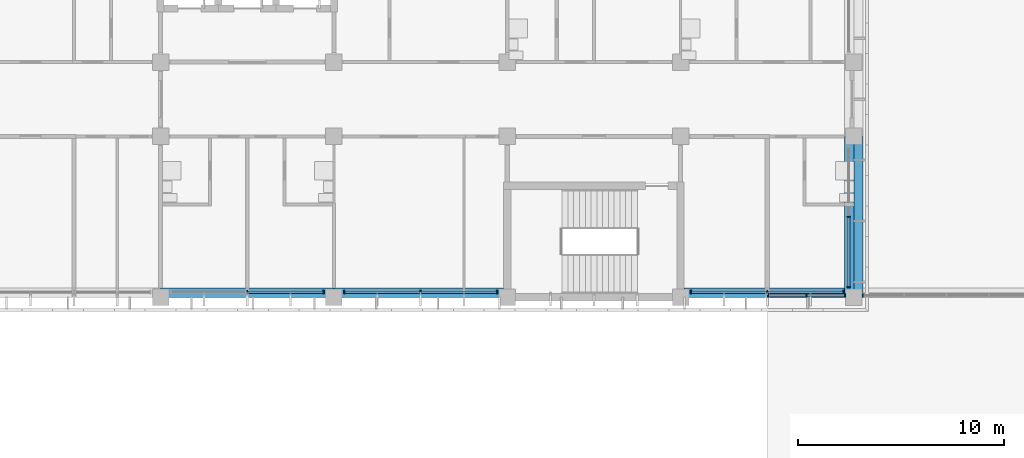
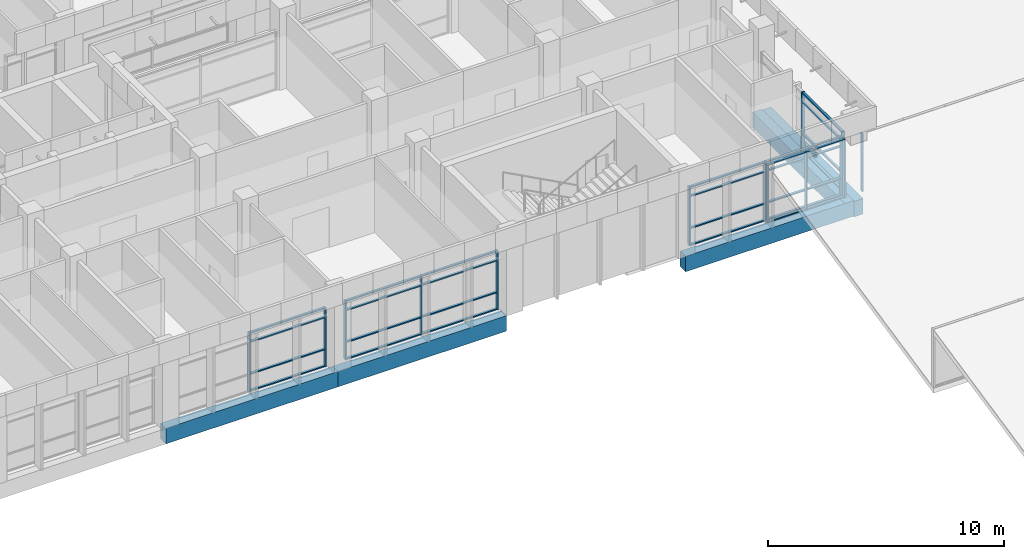
# One storey, part 29 of 137: 42 members, 5 beams, 6 elements without a shape of their own.
"""IFC4 building model written with IfcOpenShell, lengths in metres."""

from ifc_helpers import new_model, si_unit, direction, frame, origin, origin_2d, place, context, subcontext, project, spatial, rectangle, extrude, material, material_profile, profile_set, type_object, element, aggregate, save


model = new_model("IFC4")

# Units and contexts
model_context = context("Model", 3, precision=1e-05, world=origin(), true_north=direction((0.0, 1.0)))
body_context = subcontext(model_context, "Body", "Model", "MODEL_VIEW")
ifc_project = project(units=[si_unit("LENGTHUNIT", "METRE"), si_unit("AREAUNIT", "SQUARE_METRE"), si_unit("VOLUMEUNIT", "CUBIC_METRE"), si_unit("PLANEANGLEUNIT", "RADIAN"), si_unit("MASSUNIT", "GRAM", prefix="KILO")], contexts=[model_context])

# Site, building, storey
site_placement = place(None, origin())
site = spatial("IfcSite", under=ifc_project, at=site_placement, CompositionType="ELEMENT")
building_placement = place(site_placement, origin())
building = spatial("IfcBuilding", under=site, at=building_placement, Name="Bougainvillea Quay General Hospital", CompositionType="ELEMENT")
storey_placement = place(building_placement, frame((0.0, 0.0, 16.800048828125)))
storey = spatial("IfcBuildingStorey", under=building, at=storey_placement, Name="L03", CompositionType="ELEMENT", Elevation=16.800048828125)

# Curtain wall, members
ifc_material_1 = material(Name="Aluminium curtain wall system, powder-coated glazed", Category="aluminium")
curtain_wall_type_1 = type_object("IfcCurtainWallType", Name="Unitised curtain wall CW-3730", PredefinedType="NOTDEFINED", material=ifc_material_1)
curtain_wall_1_placement = place(storey_placement, origin())
curtain_wall_1 = element("IfcCurtainWall", 1, at=curtain_wall_1_placement, inside=storey, type_object=curtain_wall_type_1, Name="CW-4200 03", PredefinedType="NOTDEFINED")
ifc_material_2 = material(Name="Aluminium mullion, powder-coated charcoal", Category="aluminium")
ifc_material_profile_1 = material_profile(ifc_material_2, rectangle(XDim=0.159912109375, YDim=0.06005859375, at=origin_2d()))
ifc_profile_set_1 = profile_set([ifc_material_profile_1], Name="Aluminium mullion, powder-coated charcoal")
member_type_1 = type_object("IfcMemberType", Name="Curtain wall mullion 160x60", PredefinedType="MULLION", material=ifc_profile_set_1)
member_1_placement = place(storey_placement, frame((138.60009765625, 117.85009765625, 0.0), z_axis=(0.0, 0.0, 1.0), x_axis=(0.0, 1.0, 0.0)))
member_1 = element("IfcMember", 2, at=member_1_placement, type_object=member_type_1, Name="CW-4200 mullion 2", PredefinedType="MULLION", context=body_context, shape_type="SweptSolid", body=[
    extrude(rectangle(XDim=0.159912109375, YDim=0.06005859375, at=origin_2d()), origin(), (0.0, 0.0, 1.0), 3.050048828125),
])
member_2_placement = place(storey_placement, frame((142.300048828125, 117.85009765625, 0.0), z_axis=(0.0, 0.0, 1.0), x_axis=(0.0, 1.0, 0.0)))
member_2 = element("IfcMember", 3, at=member_2_placement, type_object=member_type_1, Name="CW-4200 mullion 3", PredefinedType="MULLION", context=body_context, shape_type="SweptSolid", body=[
    extrude(rectangle(XDim=0.159912109375, YDim=0.06005859375, at=origin_2d()), origin(), (0.0, 0.0, 1.0), 3.050048828125),
])

curtain_wall_2_placement = place(storey_placement, origin())
curtain_wall_2 = element("IfcCurtainWall", 4, at=curtain_wall_2_placement, inside=storey, type_object=curtain_wall_type_1, Name="CW-4200 04", PredefinedType="NOTDEFINED")
member_3_placement = place(storey_placement, frame((143.300048828125, 117.85009765625, 0.0), z_axis=(0.0, 0.0, 1.0), x_axis=(0.0, 1.0, 0.0)))
member_3 = element("IfcMember", 5, at=member_3_placement, type_object=member_type_1, Name="CW-4200 mullion 1", PredefinedType="MULLION", context=body_context, shape_type="SweptSolid", body=[
    extrude(rectangle(XDim=0.159912109375, YDim=0.06005859375, at=origin_2d()), origin(), (0.0, 0.0, 1.0), 3.050048828125),
])
member_4_placement = place(storey_placement, frame((147.0, 117.85009765625, 0.0), z_axis=(0.0, 0.0, 1.0), x_axis=(0.0, 1.0, 0.0)))
member_4 = element("IfcMember", 6, at=member_4_placement, type_object=member_type_1, Name="CW-4200 mullion 2", PredefinedType="MULLION", context=body_context, shape_type="SweptSolid", body=[
    extrude(rectangle(XDim=0.159912109375, YDim=0.06005859375, at=origin_2d()), origin(), (0.0, 0.0, 1.0), 3.050048828125),
])
member_5_placement = place(storey_placement, frame((150.699951171875, 117.85009765625, 0.0), z_axis=(0.0, 0.0, 1.0), x_axis=(0.0, 1.0, 0.0)))
member_5 = element("IfcMember", 7, at=member_5_placement, type_object=member_type_1, Name="CW-4200 mullion 3", PredefinedType="MULLION", context=body_context, shape_type="SweptSolid", body=[
    extrude(rectangle(XDim=0.159912109375, YDim=0.06005859375, at=origin_2d()), origin(), (0.0, 0.0, 1.0), 3.050048828125),
])

curtain_wall_3_placement = place(storey_placement, origin())
curtain_wall_3 = element("IfcCurtainWall", 8, at=curtain_wall_3_placement, inside=storey, type_object=curtain_wall_type_1, Name="CW-4200 05", PredefinedType="NOTDEFINED")
member_6_placement = place(storey_placement, frame((160.10009765625, 117.85009765625, 0.0), z_axis=(0.0, 0.0, 1.0), x_axis=(0.0, 1.0, 0.0)))
member_6 = element("IfcMember", 9, at=member_6_placement, type_object=member_type_1, Name="CW-4200 mullion 1", PredefinedType="MULLION", context=body_context, shape_type="SweptSolid", body=[
    extrude(rectangle(XDim=0.159912109375, YDim=0.06005859375, at=origin_2d()), origin(), (0.0, 0.0, 1.0), 3.050048828125),
])
member_7_placement = place(storey_placement, frame((163.800048828125, 117.85009765625, 0.0), z_axis=(0.0, 0.0, 1.0), x_axis=(0.0, 1.0, 0.0)))
member_7 = element("IfcMember", 10, at=member_7_placement, type_object=member_type_1, Name="CW-4200 mullion 2", PredefinedType="MULLION", context=body_context, shape_type="SweptSolid", body=[
    extrude(rectangle(XDim=0.159912109375, YDim=0.06005859375, at=origin_2d()), origin(), (0.0, 0.0, 1.0), 3.050048828125),
])
member_8_placement = place(storey_placement, frame((167.5, 117.85009765625, 0.0), z_axis=(0.0, 0.0, 1.0), x_axis=(0.0, 1.0, 0.0)))
member_8 = element("IfcMember", 11, at=member_8_placement, type_object=member_type_1, Name="CW-4200 mullion 3", PredefinedType="MULLION", context=body_context, shape_type="SweptSolid", body=[
    extrude(rectangle(XDim=0.159912109375, YDim=0.06005859375, at=origin_2d()), origin(), (0.0, 0.0, 1.0), 3.050048828125),
])

curtain_wall_type_2 = type_object("IfcCurtainWallType", Name="Unitised curtain wall CW-3430", PredefinedType="NOTDEFINED", material=ifc_material_1)
curtain_wall_4_placement = place(storey_placement, origin())
curtain_wall_4 = element("IfcCurtainWall", 12, at=curtain_wall_4_placement, inside=storey, type_object=curtain_wall_type_2, Name="CW-4200 00", PredefinedType="NOTDEFINED")
member_9_placement = place(storey_placement, frame((167.75, 118.10009765625, 0.0), z_axis=(0.0, 0.0, 1.0), x_axis=(-1.0, 0.0, 0.0)))
member_9 = element("IfcMember", 13, at=member_9_placement, type_object=member_type_1, Name="CW-4200 mullion 1", PredefinedType="MULLION", context=body_context, shape_type="SweptSolid", body=[
    extrude(rectangle(XDim=0.159912109375, YDim=0.06005859375, at=origin_2d()), origin(), (0.0, 0.0, 1.0), 3.050048828125),
])
member_10_placement = place(storey_placement, frame((167.75, 121.5, 0.0), z_axis=(0.0, 0.0, 1.0), x_axis=(-1.0, 0.0, 0.0)))
member_10 = element("IfcMember", 14, at=member_10_placement, type_object=member_type_1, Name="CW-4200 mullion 2", PredefinedType="MULLION", context=body_context, shape_type="SweptSolid", body=[
    extrude(rectangle(XDim=0.159912109375, YDim=0.06005859375, at=origin_2d()), origin(), (0.0, 0.0, 1.0), 3.050048828125),
])

curtain_wall_type_3 = type_object("IfcCurtainWallType", Name="Unitised curtain wall CW-2100", PredefinedType="NOTDEFINED", material=ifc_material_1)
curtain_wall_5_placement = place(storey_placement, origin())
curtain_wall_5 = element("IfcCurtainWall", 15, at=curtain_wall_5_placement, inside=storey, type_object=curtain_wall_type_3, Name="ST-G3 GL2_0", PredefinedType="NOTDEFINED")
member_11_placement = place(storey_placement, frame((163.830078125, 117.679931640625, 0.0), z_axis=(0.0, 0.0, 1.0), x_axis=(0.0, 1.0, 0.0)))
member_11 = element("IfcMember", 16, at=member_11_placement, type_object=member_type_1, Name="ST-G3 mullion 1", PredefinedType="MULLION", context=body_context, shape_type="SweptSolid", body=[
    extrude(rectangle(XDim=0.159912109375, YDim=0.06005859375, at=origin_2d()), origin(), (0.0, 0.0, 1.0), 3.0),
])
member_12_placement = place(storey_placement, frame((165.699951171875, 117.679931640625, 0.0), z_axis=(0.0, 0.0, 1.0), x_axis=(0.0, 1.0, 0.0)))
member_12 = element("IfcMember", 17, at=member_12_placement, type_object=member_type_1, Name="ST-G3 mullion 2", PredefinedType="MULLION", context=body_context, shape_type="SweptSolid", body=[
    extrude(rectangle(XDim=0.159912109375, YDim=0.06005859375, at=origin_2d()), origin(), (0.0, 0.0, 1.0), 3.0),
])
member_13_placement = place(storey_placement, frame((167.570068359375, 117.679931640625, 0.0), z_axis=(0.0, 0.0, 1.0), x_axis=(0.0, 1.0, 0.0)))
member_13 = element("IfcMember", 18, at=member_13_placement, type_object=member_type_1, Name="ST-G3 mullion 3", PredefinedType="MULLION", context=body_context, shape_type="SweptSolid", body=[
    extrude(rectangle(XDim=0.159912109375, YDim=0.06005859375, at=origin_2d()), origin(), (0.0, 0.0, 1.0), 3.0),
])

# Curtain wall, member
curtain_wall_6_placement = place(storey_placement, origin())
curtain_wall_6 = element("IfcCurtainWall", 19, at=curtain_wall_6_placement, inside=storey, type_object=curtain_wall_type_3, Name="ST-G3 GL2_1", PredefinedType="NOTDEFINED")
member_14_placement = place(storey_placement, frame((168.429931640625, 117.679931640625, 0.0), z_axis=(0.0, 0.0, 1.0), x_axis=(0.0, 1.0, 0.0)))
member_14 = element("IfcMember", 20, at=member_14_placement, type_object=member_type_1, Name="ST-G3 mullion 1", PredefinedType="MULLION", context=body_context, shape_type="SweptSolid", body=[
    extrude(rectangle(XDim=0.159912109375, YDim=0.06005859375, at=origin_2d()), origin(), (0.0, 0.0, 1.0), 3.0),
])
aggregate(curtain_wall_6, [member_14])

# Member
ifc_material_3 = material(Name="Aluminium transom, powder-coated charcoal", Category="aluminium")
ifc_material_profile_2 = material_profile(ifc_material_3, rectangle(XDim=0.1201171875, YDim=0.06005859375, at=origin_2d()))
ifc_profile_set_2 = profile_set([ifc_material_profile_2], Name="Aluminium transom, powder-coated charcoal")
member_type_2 = type_object("IfcMemberType", Name="Curtain wall transom 120x60", PredefinedType="USERDEFINED", material=ifc_profile_set_2)
member_15_placement = place(storey_placement, frame((138.6298828125, 117.85009765625, 0.030029296875), z_axis=(1.0, 0.0, 0.0), x_axis=(0.0, 1.0, 0.0)))
member_15 = element("IfcMember", 21, at=member_15_placement, type_object=member_type_2, Name="CW-4200 transom 2.1", ObjectType="TRANSOM", PredefinedType="USERDEFINED", context=body_context, shape_type="SweptSolid", body=[
    extrude(rectangle(XDim=0.1201171875, YDim=0.06005859375, at=origin_2d()), origin(), (0.0, 0.0, 1.0), 3.64013671875),
])

member_16_placement = place(storey_placement, frame((138.6298828125, 117.85009765625, 0.89990234375), z_axis=(1.0, 0.0, 0.0), x_axis=(0.0, 1.0, 0.0)))
member_16 = element("IfcMember", 22, at=member_16_placement, type_object=member_type_2, Name="CW-4200 transom 2.2", ObjectType="TRANSOM", PredefinedType="USERDEFINED", context=body_context, shape_type="SweptSolid", body=[
    extrude(rectangle(XDim=0.1201171875, YDim=0.06005859375, at=origin_2d()), origin(), (0.0, 0.0, 1.0), 3.64013671875),
])

member_17_placement = place(storey_placement, frame((138.6298828125, 117.85009765625, 2.550048828125), z_axis=(1.0, 0.0, 0.0), x_axis=(0.0, 1.0, 0.0)))
member_17 = element("IfcMember", 23, at=member_17_placement, type_object=member_type_2, Name="CW-4200 transom 2.3", ObjectType="TRANSOM", PredefinedType="USERDEFINED", context=body_context, shape_type="SweptSolid", body=[
    extrude(rectangle(XDim=0.1201171875, YDim=0.06005859375, at=origin_2d()), origin(), (0.0, 0.0, 1.0), 3.64013671875),
])

member_18_placement = place(storey_placement, frame((138.6298828125, 117.85009765625, 3.02001953125), z_axis=(1.0, 0.0, 0.0), x_axis=(0.0, 1.0, 0.0)))
member_18 = element("IfcMember", 24, at=member_18_placement, type_object=member_type_2, Name="CW-4200 transom 2.4", ObjectType="TRANSOM", PredefinedType="USERDEFINED", context=body_context, shape_type="SweptSolid", body=[
    extrude(rectangle(XDim=0.1201171875, YDim=0.06005859375, at=origin_2d()), origin(), (0.0, 0.0, 1.0), 3.64013671875),
])

aggregate(curtain_wall_1, [member_1, member_2, member_15, member_16, member_17, member_18])

member_19_placement = place(storey_placement, frame((143.330078125, 117.85009765625, 0.030029296875), z_axis=(1.0, 0.0, 0.0), x_axis=(0.0, 1.0, 0.0)))
member_19 = element("IfcMember", 25, at=member_19_placement, type_object=member_type_2, Name="CW-4200 transom 1.1", ObjectType="TRANSOM", PredefinedType="USERDEFINED", context=body_context, shape_type="SweptSolid", body=[
    extrude(rectangle(XDim=0.1201171875, YDim=0.06005859375, at=origin_2d()), origin(), (0.0, 0.0, 1.0), 3.639892578125),
])

member_20_placement = place(storey_placement, frame((143.330078125, 117.85009765625, 0.89990234375), z_axis=(1.0, 0.0, 0.0), x_axis=(0.0, 1.0, 0.0)))
member_20 = element("IfcMember", 26, at=member_20_placement, type_object=member_type_2, Name="CW-4200 transom 1.2", ObjectType="TRANSOM", PredefinedType="USERDEFINED", context=body_context, shape_type="SweptSolid", body=[
    extrude(rectangle(XDim=0.1201171875, YDim=0.06005859375, at=origin_2d()), origin(), (0.0, 0.0, 1.0), 3.639892578125),
])

member_21_placement = place(storey_placement, frame((143.330078125, 117.85009765625, 2.550048828125), z_axis=(1.0, 0.0, 0.0), x_axis=(0.0, 1.0, 0.0)))
member_21 = element("IfcMember", 27, at=member_21_placement, type_object=member_type_2, Name="CW-4200 transom 1.3", ObjectType="TRANSOM", PredefinedType="USERDEFINED", context=body_context, shape_type="SweptSolid", body=[
    extrude(rectangle(XDim=0.1201171875, YDim=0.06005859375, at=origin_2d()), origin(), (0.0, 0.0, 1.0), 3.639892578125),
])

member_22_placement = place(storey_placement, frame((143.330078125, 117.85009765625, 3.02001953125), z_axis=(1.0, 0.0, 0.0), x_axis=(0.0, 1.0, 0.0)))
member_22 = element("IfcMember", 28, at=member_22_placement, type_object=member_type_2, Name="CW-4200 transom 1.4", ObjectType="TRANSOM", PredefinedType="USERDEFINED", context=body_context, shape_type="SweptSolid", body=[
    extrude(rectangle(XDim=0.1201171875, YDim=0.06005859375, at=origin_2d()), origin(), (0.0, 0.0, 1.0), 3.639892578125),
])

member_23_placement = place(storey_placement, frame((147.030029296875, 117.85009765625, 0.030029296875), z_axis=(1.0, 0.0, 0.0), x_axis=(0.0, 1.0, 0.0)))
member_23 = element("IfcMember", 29, at=member_23_placement, type_object=member_type_2, Name="CW-4200 transom 2.1", ObjectType="TRANSOM", PredefinedType="USERDEFINED", context=body_context, shape_type="SweptSolid", body=[
    extrude(rectangle(XDim=0.1201171875, YDim=0.06005859375, at=origin_2d()), origin(), (0.0, 0.0, 1.0), 3.639892578125),
])

member_24_placement = place(storey_placement, frame((147.030029296875, 117.85009765625, 0.89990234375), z_axis=(1.0, 0.0, 0.0), x_axis=(0.0, 1.0, 0.0)))
member_24 = element("IfcMember", 30, at=member_24_placement, type_object=member_type_2, Name="CW-4200 transom 2.2", ObjectType="TRANSOM", PredefinedType="USERDEFINED", context=body_context, shape_type="SweptSolid", body=[
    extrude(rectangle(XDim=0.1201171875, YDim=0.06005859375, at=origin_2d()), origin(), (0.0, 0.0, 1.0), 3.639892578125),
])

member_25_placement = place(storey_placement, frame((147.030029296875, 117.85009765625, 2.550048828125), z_axis=(1.0, 0.0, 0.0), x_axis=(0.0, 1.0, 0.0)))
member_25 = element("IfcMember", 31, at=member_25_placement, type_object=member_type_2, Name="CW-4200 transom 2.3", ObjectType="TRANSOM", PredefinedType="USERDEFINED", context=body_context, shape_type="SweptSolid", body=[
    extrude(rectangle(XDim=0.1201171875, YDim=0.06005859375, at=origin_2d()), origin(), (0.0, 0.0, 1.0), 3.639892578125),
])

member_26_placement = place(storey_placement, frame((147.030029296875, 117.85009765625, 3.02001953125), z_axis=(1.0, 0.0, 0.0), x_axis=(0.0, 1.0, 0.0)))
member_26 = element("IfcMember", 32, at=member_26_placement, type_object=member_type_2, Name="CW-4200 transom 2.4", ObjectType="TRANSOM", PredefinedType="USERDEFINED", context=body_context, shape_type="SweptSolid", body=[
    extrude(rectangle(XDim=0.1201171875, YDim=0.06005859375, at=origin_2d()), origin(), (0.0, 0.0, 1.0), 3.639892578125),
])

aggregate(curtain_wall_2, [member_3, member_4, member_5, member_19, member_20, member_21, member_22, member_23, member_24, member_25, member_26])

member_27_placement = place(storey_placement, frame((160.1298828125, 117.85009765625, 0.030029296875), z_axis=(1.0, 0.0, 0.0), x_axis=(0.0, 1.0, 0.0)))
member_27 = element("IfcMember", 33, at=member_27_placement, type_object=member_type_2, Name="CW-4200 transom 1.1", ObjectType="TRANSOM", PredefinedType="USERDEFINED", context=body_context, shape_type="SweptSolid", body=[
    extrude(rectangle(XDim=0.1201171875, YDim=0.06005859375, at=origin_2d()), origin(), (0.0, 0.0, 1.0), 3.64013671875),
])

member_28_placement = place(storey_placement, frame((160.1298828125, 117.85009765625, 0.89990234375), z_axis=(1.0, 0.0, 0.0), x_axis=(0.0, 1.0, 0.0)))
member_28 = element("IfcMember", 34, at=member_28_placement, type_object=member_type_2, Name="CW-4200 transom 1.2", ObjectType="TRANSOM", PredefinedType="USERDEFINED", context=body_context, shape_type="SweptSolid", body=[
    extrude(rectangle(XDim=0.1201171875, YDim=0.06005859375, at=origin_2d()), origin(), (0.0, 0.0, 1.0), 3.64013671875),
])

member_29_placement = place(storey_placement, frame((160.1298828125, 117.85009765625, 2.550048828125), z_axis=(1.0, 0.0, 0.0), x_axis=(0.0, 1.0, 0.0)))
member_29 = element("IfcMember", 35, at=member_29_placement, type_object=member_type_2, Name="CW-4200 transom 1.3", ObjectType="TRANSOM", PredefinedType="USERDEFINED", context=body_context, shape_type="SweptSolid", body=[
    extrude(rectangle(XDim=0.1201171875, YDim=0.06005859375, at=origin_2d()), origin(), (0.0, 0.0, 1.0), 3.64013671875),
])

member_30_placement = place(storey_placement, frame((160.1298828125, 117.85009765625, 3.02001953125), z_axis=(1.0, 0.0, 0.0), x_axis=(0.0, 1.0, 0.0)))
member_30 = element("IfcMember", 36, at=member_30_placement, type_object=member_type_2, Name="CW-4200 transom 1.4", ObjectType="TRANSOM", PredefinedType="USERDEFINED", context=body_context, shape_type="SweptSolid", body=[
    extrude(rectangle(XDim=0.1201171875, YDim=0.06005859375, at=origin_2d()), origin(), (0.0, 0.0, 1.0), 3.64013671875),
])

member_31_placement = place(storey_placement, frame((163.830078125, 117.85009765625, 0.030029296875), z_axis=(1.0, 0.0, 0.0), x_axis=(0.0, 1.0, 0.0)))
member_31 = element("IfcMember", 37, at=member_31_placement, type_object=member_type_2, Name="CW-4200 transom 2.1", ObjectType="TRANSOM", PredefinedType="USERDEFINED", context=body_context, shape_type="SweptSolid", body=[
    extrude(rectangle(XDim=0.1201171875, YDim=0.06005859375, at=origin_2d()), origin(), (0.0, 0.0, 1.0), 3.639892578125),
])

member_32_placement = place(storey_placement, frame((163.830078125, 117.85009765625, 0.89990234375), z_axis=(1.0, 0.0, 0.0), x_axis=(0.0, 1.0, 0.0)))
member_32 = element("IfcMember", 38, at=member_32_placement, type_object=member_type_2, Name="CW-4200 transom 2.2", ObjectType="TRANSOM", PredefinedType="USERDEFINED", context=body_context, shape_type="SweptSolid", body=[
    extrude(rectangle(XDim=0.1201171875, YDim=0.06005859375, at=origin_2d()), origin(), (0.0, 0.0, 1.0), 3.639892578125),
])

member_33_placement = place(storey_placement, frame((163.830078125, 117.85009765625, 2.550048828125), z_axis=(1.0, 0.0, 0.0), x_axis=(0.0, 1.0, 0.0)))
member_33 = element("IfcMember", 39, at=member_33_placement, type_object=member_type_2, Name="CW-4200 transom 2.3", ObjectType="TRANSOM", PredefinedType="USERDEFINED", context=body_context, shape_type="SweptSolid", body=[
    extrude(rectangle(XDim=0.1201171875, YDim=0.06005859375, at=origin_2d()), origin(), (0.0, 0.0, 1.0), 3.639892578125),
])

member_34_placement = place(storey_placement, frame((163.830078125, 117.85009765625, 3.02001953125), z_axis=(1.0, 0.0, 0.0), x_axis=(0.0, 1.0, 0.0)))
member_34 = element("IfcMember", 40, at=member_34_placement, type_object=member_type_2, Name="CW-4200 transom 2.4", ObjectType="TRANSOM", PredefinedType="USERDEFINED", context=body_context, shape_type="SweptSolid", body=[
    extrude(rectangle(XDim=0.1201171875, YDim=0.06005859375, at=origin_2d()), origin(), (0.0, 0.0, 1.0), 3.639892578125),
])

aggregate(curtain_wall_3, [member_6, member_7, member_8, member_27, member_28, member_29, member_30, member_31, member_32, member_33, member_34])

member_35_placement = place(storey_placement, frame((167.75, 118.1298828125, 0.030029296875), z_axis=(0.0, 1.0, 0.0), x_axis=(-1.0, 0.0, 0.0)))
member_35 = element("IfcMember", 41, at=member_35_placement, type_object=member_type_2, Name="CW-4200 transom 1.1", ObjectType="TRANSOM", PredefinedType="USERDEFINED", context=body_context, shape_type="SweptSolid", body=[
    extrude(rectangle(XDim=0.1201171875, YDim=0.06005859375, at=origin_2d()), origin(), (0.0, 0.0, 1.0), 3.340087890625),
])

member_36_placement = place(storey_placement, frame((167.75, 118.1298828125, 0.89990234375), z_axis=(0.0, 1.0, 0.0), x_axis=(-1.0, 0.0, 0.0)))
member_36 = element("IfcMember", 42, at=member_36_placement, type_object=member_type_2, Name="CW-4200 transom 1.2", ObjectType="TRANSOM", PredefinedType="USERDEFINED", context=body_context, shape_type="SweptSolid", body=[
    extrude(rectangle(XDim=0.1201171875, YDim=0.06005859375, at=origin_2d()), origin(), (0.0, 0.0, 1.0), 3.340087890625),
])

member_37_placement = place(storey_placement, frame((167.75, 118.1298828125, 2.550048828125), z_axis=(0.0, 1.0, 0.0), x_axis=(-1.0, 0.0, 0.0)))
member_37 = element("IfcMember", 43, at=member_37_placement, type_object=member_type_2, Name="CW-4200 transom 1.3", ObjectType="TRANSOM", PredefinedType="USERDEFINED", context=body_context, shape_type="SweptSolid", body=[
    extrude(rectangle(XDim=0.1201171875, YDim=0.06005859375, at=origin_2d()), origin(), (0.0, 0.0, 1.0), 3.340087890625),
])

member_38_placement = place(storey_placement, frame((167.75, 118.1298828125, 3.02001953125), z_axis=(0.0, 1.0, 0.0), x_axis=(-1.0, 0.0, 0.0)))
member_38 = element("IfcMember", 44, at=member_38_placement, type_object=member_type_2, Name="CW-4200 transom 1.4", ObjectType="TRANSOM", PredefinedType="USERDEFINED", context=body_context, shape_type="SweptSolid", body=[
    extrude(rectangle(XDim=0.1201171875, YDim=0.06005859375, at=origin_2d()), origin(), (0.0, 0.0, 1.0), 3.340087890625),
])

aggregate(curtain_wall_4, [member_9, member_10, member_35, member_36, member_37, member_38])

member_39_placement = place(storey_placement, frame((163.860107421875, 117.679931640625, 0.030029296875), z_axis=(1.0, 0.0, 0.0), x_axis=(0.0, 1.0, 0.0)))
member_39 = element("IfcMember", 45, at=member_39_placement, type_object=member_type_2, Name="ST-G3 transom 1.1", ObjectType="TRANSOM", PredefinedType="USERDEFINED", context=body_context, shape_type="SweptSolid", body=[
    extrude(rectangle(XDim=0.1201171875, YDim=0.06005859375, at=origin_2d()), origin(), (0.0, 0.0, 1.0), 1.809814453125),
])

member_40_placement = place(storey_placement, frame((163.860107421875, 117.679931640625, 2.969970703125), z_axis=(1.0, 0.0, 0.0), x_axis=(0.0, 1.0, 0.0)))
member_40 = element("IfcMember", 46, at=member_40_placement, type_object=member_type_2, Name="ST-G3 transom 1.2", ObjectType="TRANSOM", PredefinedType="USERDEFINED", context=body_context, shape_type="SweptSolid", body=[
    extrude(rectangle(XDim=0.1201171875, YDim=0.06005859375, at=origin_2d()), origin(), (0.0, 0.0, 1.0), 1.809814453125),
])

member_41_placement = place(storey_placement, frame((165.72998046875, 117.679931640625, 0.030029296875), z_axis=(1.0, 0.0, 0.0), x_axis=(0.0, 1.0, 0.0)))
member_41 = element("IfcMember", 47, at=member_41_placement, type_object=member_type_2, Name="ST-G3 transom 2.1", ObjectType="TRANSOM", PredefinedType="USERDEFINED", context=body_context, shape_type="SweptSolid", body=[
    extrude(rectangle(XDim=0.1201171875, YDim=0.06005859375, at=origin_2d()), origin(), (0.0, 0.0, 1.0), 1.81005859375),
])

member_42_placement = place(storey_placement, frame((165.72998046875, 117.679931640625, 2.969970703125), z_axis=(1.0, 0.0, 0.0), x_axis=(0.0, 1.0, 0.0)))
member_42 = element("IfcMember", 48, at=member_42_placement, type_object=member_type_2, Name="ST-G3 transom 2.2", ObjectType="TRANSOM", PredefinedType="USERDEFINED", context=body_context, shape_type="SweptSolid", body=[
    extrude(rectangle(XDim=0.1201171875, YDim=0.06005859375, at=origin_2d()), origin(), (0.0, 0.0, 1.0), 1.81005859375),
])

aggregate(curtain_wall_5, [member_11, member_12, member_13, member_39, member_40, member_41, member_42])

# Beams
ifc_material_4 = material(Name="Concrete C40", Category="concrete")
ifc_material_profile_3 = material_profile(ifc_material_4, rectangle(XDim=0.449951171875, YDim=0.800048828125, at=origin_2d()))
ifc_profile_set_3 = profile_set([ifc_material_profile_3], Name="Concrete C40")
beam_type = type_object("IfcBeamType", Name="RC BEAM 450x800 C40", PredefinedType="BEAM", material=ifc_profile_set_3)
beam_1_placement = place(storey_placement, frame((134.39990234375, 117.824951171875, -0.699951171875), z_axis=(1.0, 0.0, 0.0), x_axis=(0.0, 1.0, 0.0)))
element("IfcBeam", 49, at=beam_1_placement, inside=storey, type_object=beam_type, Name="Edge beam L03", PredefinedType="BEAM", context=body_context, shape_type="SweptSolid", body=[
    extrude(rectangle(XDim=0.449951171875, YDim=0.800048828125, at=origin_2d()), origin(), (0.0, 0.0, 1.0), 8.400146484375),
])
beam_2_placement = place(storey_placement, frame((142.800048828125, 117.824951171875, -0.699951171875), z_axis=(1.0, 0.0, 0.0), x_axis=(0.0, 1.0, 0.0)))
element("IfcBeam", 50, at=beam_2_placement, inside=storey, type_object=beam_type, Name="Edge beam L03", PredefinedType="BEAM", context=body_context, shape_type="SweptSolid", body=[
    extrude(rectangle(XDim=0.449951171875, YDim=0.800048828125, at=origin_2d()), origin(), (0.0, 0.0, 1.0), 8.224853515625),
])
beam_3_placement = place(storey_placement, frame((159.77490234375, 117.824951171875, -0.699951171875), z_axis=(1.0, 0.0, 0.0), x_axis=(0.0, 1.0, 0.0)))
element("IfcBeam", 51, at=beam_3_placement, inside=storey, type_object=beam_type, Name="Edge beam L03", PredefinedType="BEAM", context=body_context, shape_type="SweptSolid", body=[
    extrude(rectangle(XDim=0.449951171875, YDim=0.800048828125, at=origin_2d()), origin(), (0.0, 0.0, 1.0), 8.22509765625),
])
for number, where, z_axis, x_axis, name in (
    (52, (167.77490234375, 117.60009765625, -0.699951171875), (0.0, 1.0, 0.0), (-1.0, 0.0, 0.0), "Edge beam L03"),
    (53, (168.22509765625, 125.39990234375, -0.75), (0.0, -1.0, 0.0), (1.0, 0.0, 0.0), "Edge beam L03"),
):
    element("IfcBeam", number, at=place(storey_placement, frame(where, z_axis=z_axis, x_axis=x_axis)), inside=storey, type_object=beam_type, Name=name, PredefinedType="BEAM", context=body_context, shape_type="SweptSolid", body=[
        extrude(rectangle(XDim=0.449951171875, YDim=0.800048828125, at=origin_2d()), origin(), (0.0, 0.0, 1.0), 7.7998046875),
    ])

save(model, "model.ifc")
